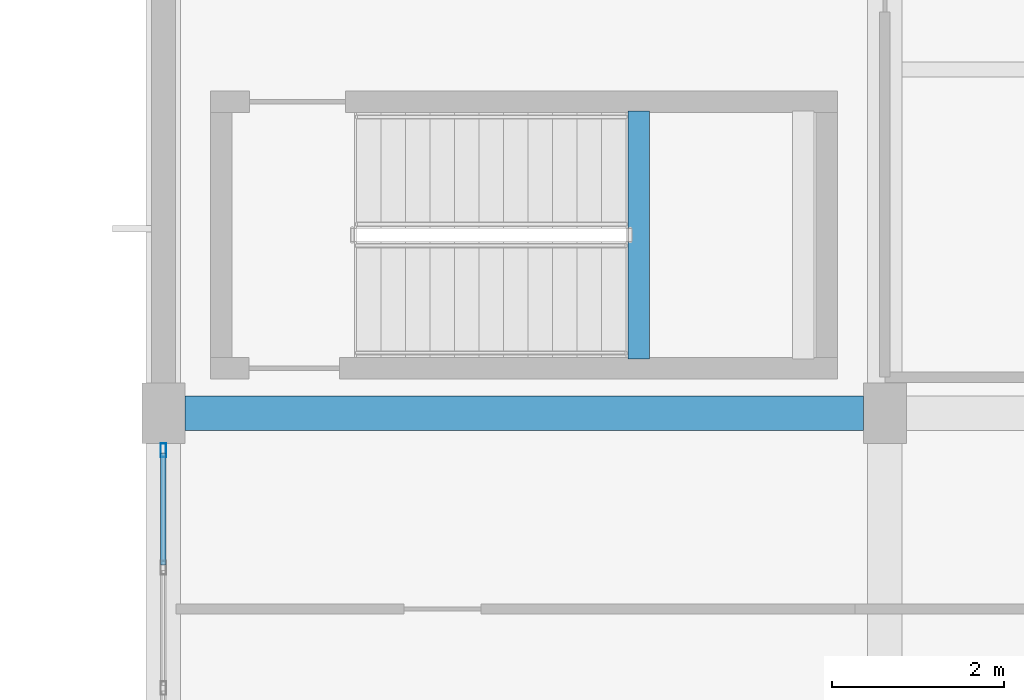
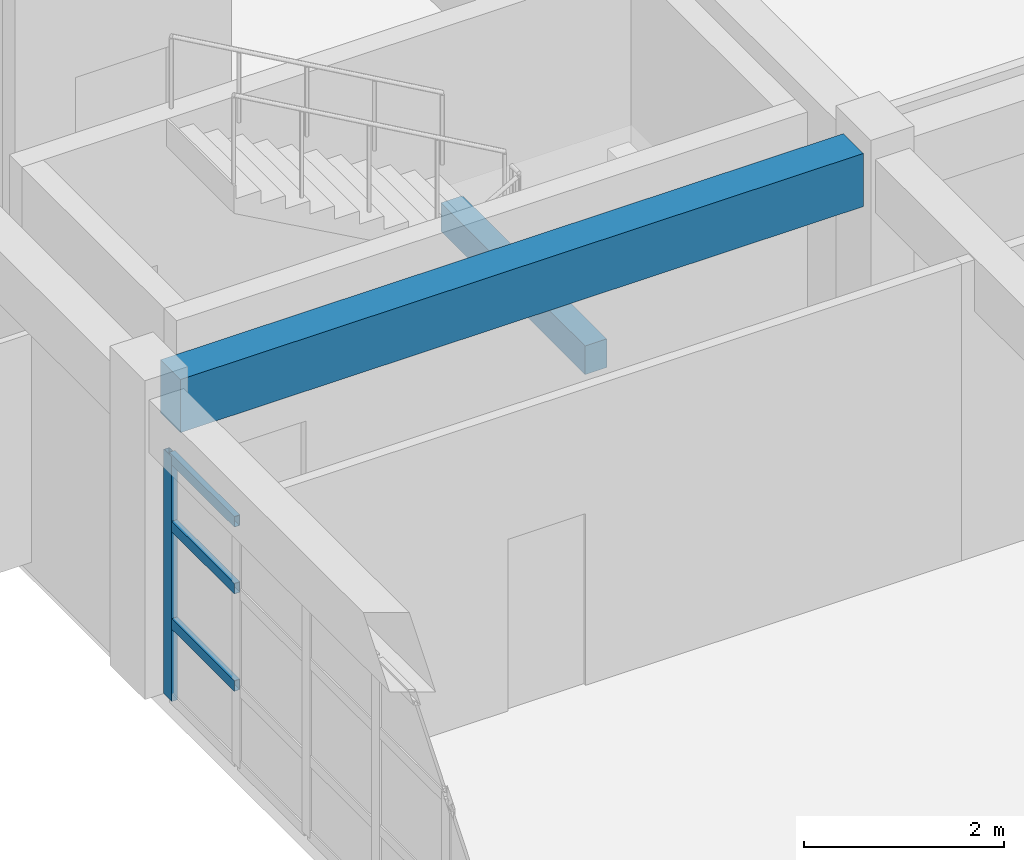
# One storey, part 8 of 150: 4 members, 2 beams, 1 element without a shape of its own.
"""IFC4 building model written with IfcOpenShell, lengths in metres."""

from ifc_helpers import new_model, si_unit, direction, frame, origin, origin_2d, place, context, subcontext, project, spatial, rectangle, hollow_rectangle, extrude, material, material_profile, profile_set, type_object, element, aggregate, save


model = new_model("IFC4")

# Units and contexts
model_context = context("Model", 3, precision=1e-05, world=origin(), true_north=direction((0.0, 1.0)))
body_context = subcontext(model_context, "Body", "Model", "MODEL_VIEW")
ifc_project = project(units=[si_unit("LENGTHUNIT", "METRE"), si_unit("AREAUNIT", "SQUARE_METRE"), si_unit("VOLUMEUNIT", "CUBIC_METRE"), si_unit("PLANEANGLEUNIT", "RADIAN"), si_unit("MASSUNIT", "GRAM", prefix="KILO")], contexts=[model_context])

# Site, building, storey
site_placement = place(None, origin())
site = spatial("IfcSite", under=ifc_project, at=site_placement, CompositionType="ELEMENT")
building_placement = place(site_placement, origin())
building = spatial("IfcBuilding", under=site, at=building_placement, Name="Kestramere Prow Commons", CompositionType="ELEMENT")
storey_placement = place(building_placement, frame((0.0, 0.0, 4.5)))
storey = spatial("IfcBuildingStorey", under=building, at=storey_placement, Name="L01", CompositionType="ELEMENT", Elevation=4.5)

# Beams
ifc_material_1 = material(Name="Precast concrete C40/50", Category="concrete")
ifc_material_profile_1 = material_profile(ifc_material_1, rectangle(XDim=0.39990234375, YDim=0.64990234375, at=origin_2d()), Name="PC-BM 400x650")
ifc_profile_set_1 = profile_set([ifc_material_profile_1], Name="Precast concrete C40/50")
beam_type_1 = type_object("IfcBeamType", Name="BM-MK-01 PC-BM 400x650", PredefinedType="BEAM", material=ifc_profile_set_1)
beam_1_placement = place(storey_placement, frame((60.25, 12.0, 3.324951171875), z_axis=(1.0, 0.0, 0.0), x_axis=(0.0, 1.0, 0.0)))
element("IfcBeam", 1, at=beam_1_placement, inside=storey, type_object=beam_type_1, Name="Market Spine L01 Beam X 2-1", PredefinedType="BEAM", context=body_context, shape_type="SweptSolid", body=[
    extrude(rectangle(XDim=0.39990234375, YDim=0.64990234375, at=origin_2d()), origin(), (0.0, 0.0, 1.0), 7.89990234375),
])
ifc_material_2 = material(Name="Concrete C40/50", Category="concrete")
ifc_material_profile_2 = material_profile(ifc_material_2, rectangle(XDim=0.25, YDim=0.35009765625, at=origin_2d()), Name="PC-BM 250x350")
ifc_profile_set_2 = profile_set([ifc_material_profile_2], Name="Concrete C40/50")
beam_type_2 = type_object("IfcBeamType", Name="BM-ST-TRIM", PredefinedType="BEAM", material=ifc_profile_set_2)
beam_2_placement = place(storey_placement, frame((65.534912109375, 12.6298828125, 1.574951171875), z_axis=(0.0, 1.0, 0.0), x_axis=(-1.0, 0.0, 0.0)))
element("IfcBeam", 2, at=beam_2_placement, inside=storey, type_object=beam_type_2, Name="ST-M1 L01 Landing Trimmer Beam 1A", PredefinedType="BEAM", context=body_context, shape_type="SweptSolid", body=[
    extrude(rectangle(XDim=0.25, YDim=0.35009765625, at=origin_2d()), origin(), (0.0, 0.0, 1.0), 2.89013671875),
])

# Curtain wall, members
ifc_material_3 = material(Name="Anodised Aluminium and Low-E Glass", Category="aluminium")
curtain_wall_type = type_object("IfcCurtainWallType", Name="CW-27 Glazed Curtain Wall 11200x2990", PredefinedType="USERDEFINED", material=ifc_material_3)
curtain_wall_placement = place(storey_placement, origin())
curtain_wall = element("IfcCurtainWall", 3, at=curtain_wall_placement, inside=storey, type_object=curtain_wall_type, Name="Market L01 W Glazing", ObjectType="GLAZED CURTAIN WALL", PredefinedType="USERDEFINED")
ifc_material_4 = material(Name="Anodised Aluminium 6063-T6", Category="aluminium")
ifc_material_profile_3 = material_profile(ifc_material_4, hollow_rectangle(XDim=0.06494140625, YDim=0.159912109375, WallThickness=0.00390625, at=origin_2d()), Name="ALU-MUL 65x160")
ifc_profile_set_3 = profile_set([ifc_material_profile_3], Name="Anodised Aluminium 6063-T6")
member_type_1 = type_object("IfcMemberType", Name="CW-MUL-65x160", PredefinedType="MULLION", material=ifc_profile_set_3)
member_1_placement = place(storey_placement, frame((60.0, 11.5673828125, 0.0), z_axis=(0.0, 0.0, 1.0), x_axis=(-1.0, 0.0, 0.0)))
member_1 = element("IfcMember", 4, at=member_1_placement, type_object=member_type_1, Name="CW-27 mullion 9", PredefinedType="MULLION", context=body_context, shape_type="SweptSolid", body=[
    extrude(hollow_rectangle(XDim=0.06494140625, YDim=0.159912109375, WallThickness=0.00390625, at=origin_2d()), origin(), (0.0, 0.0, 1.0), 2.989990234375),
])
ifc_material_profile_4 = material_profile(ifc_material_4, hollow_rectangle(XDim=0.06494140625, YDim=0.1298828125, WallThickness=0.00390625, at=origin_2d()), Name="ALU-TRN 65x130")
ifc_profile_set_4 = profile_set([ifc_material_profile_4], Name="Anodised Aluminium 6063-T6")
member_type_2 = type_object("IfcMemberType", Name="CW-TRN-65x130", PredefinedType="USERDEFINED", material=ifc_profile_set_4)
member_2_placement = place(storey_placement, frame((60.0, 10.232421875, 0.949951171875), z_axis=(0.0, 1.0, 0.0), x_axis=(-1.0, 0.0, 0.0)))
member_2 = element("IfcMember", 5, at=member_2_placement, type_object=member_type_2, Name="CW-27 transom 8.2", ObjectType="TRANSOM", PredefinedType="USERDEFINED", context=body_context, shape_type="SweptSolid", body=[
    extrude(hollow_rectangle(XDim=0.06494140625, YDim=0.1298828125, WallThickness=0.00390625, at=origin_2d()), origin(), (0.0, 0.0, 1.0), 1.302490234375),
])
member_3_placement = place(storey_placement, frame((60.0, 10.232421875, 2.139892578125), z_axis=(0.0, 1.0, 0.0), x_axis=(-1.0, 0.0, 0.0)))
member_3 = element("IfcMember", 6, at=member_3_placement, type_object=member_type_2, Name="CW-27 transom 8.3", ObjectType="TRANSOM", PredefinedType="USERDEFINED", context=body_context, shape_type="SweptSolid", body=[
    extrude(hollow_rectangle(XDim=0.06494140625, YDim=0.1298828125, WallThickness=0.00390625, at=origin_2d()), origin(), (0.0, 0.0, 1.0), 1.302490234375),
])
member_4_placement = place(storey_placement, frame((60.0, 10.232421875, 2.95751953125), z_axis=(0.0, 1.0, 0.0), x_axis=(-1.0, 0.0, 0.0)))
member_4 = element("IfcMember", 7, at=member_4_placement, type_object=member_type_2, Name="CW-27 transom 8.4", ObjectType="TRANSOM", PredefinedType="USERDEFINED", context=body_context, shape_type="SweptSolid", body=[
    extrude(hollow_rectangle(XDim=0.06494140625, YDim=0.1298828125, WallThickness=0.00390625, at=origin_2d()), origin(), (0.0, 0.0, 1.0), 1.302490234375),
])
aggregate(curtain_wall, [member_1, member_2, member_3, member_4])

save(model, "model.ifc")
